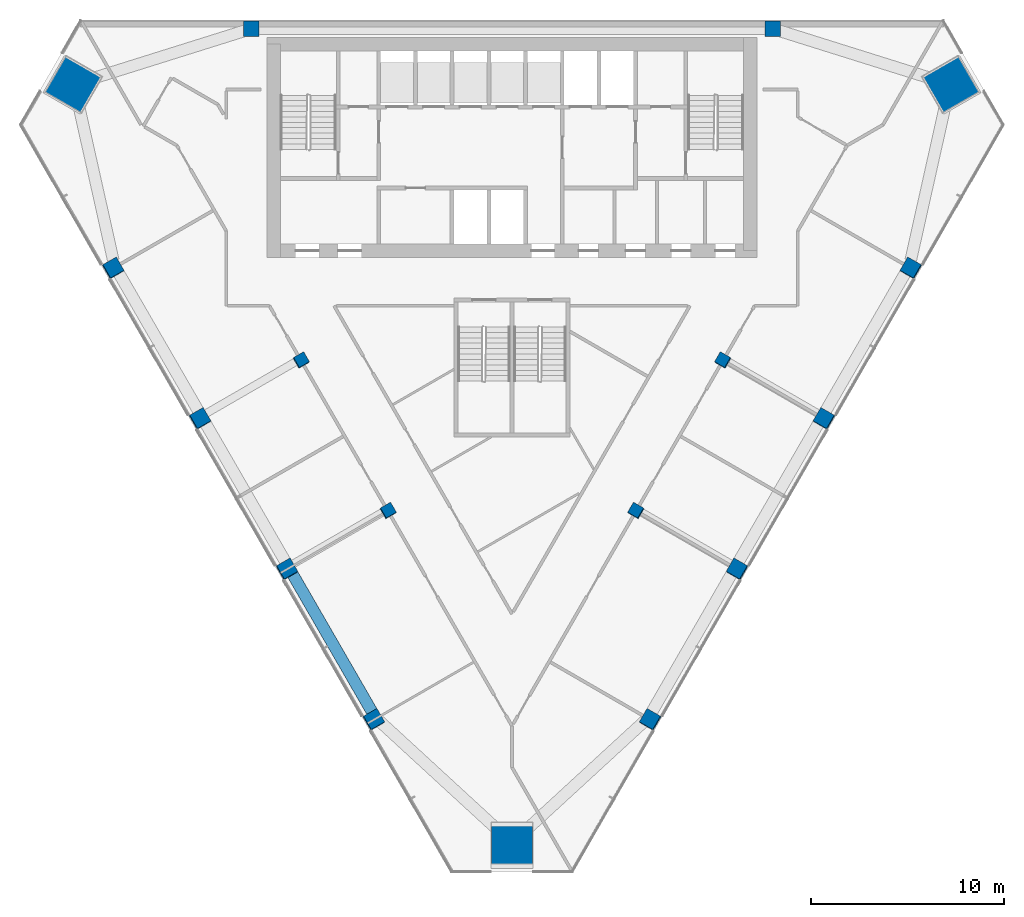
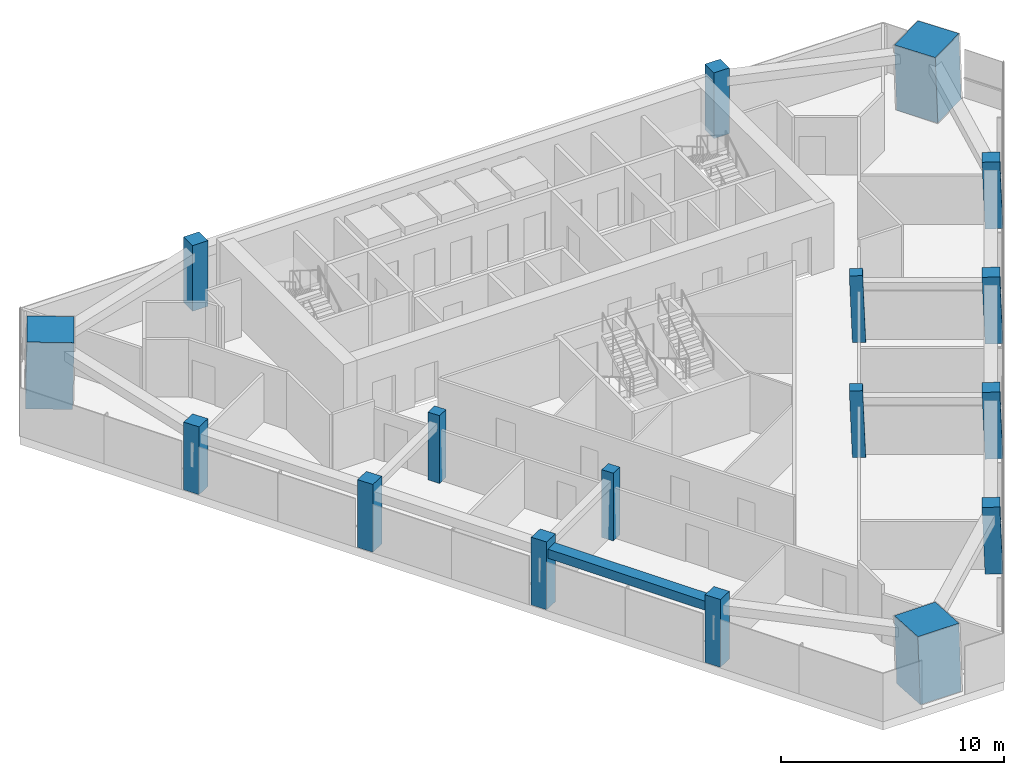
# One storey, part 1 of 13: 17 columns, 1 beam.
"""IFC4 building model written with IfcOpenShell, lengths in metres."""

from ifc_helpers import new_model, si_unit, direction, frame, origin, origin_2d, place, context, subcontext, project, spatial, rectangle, extrude, material, material_profile, profile_set, type_object, element, save


model = new_model("IFC4")

# Units and contexts
model_context = context("Model", 3, precision=1e-05, world=origin(), true_north=direction((0.0, 1.0)))
body_context = subcontext(model_context, "Body", "Model", "MODEL_VIEW")
ifc_project = project(units=[si_unit("LENGTHUNIT", "METRE"), si_unit("AREAUNIT", "SQUARE_METRE"), si_unit("VOLUMEUNIT", "CUBIC_METRE"), si_unit("PLANEANGLEUNIT", "RADIAN"), si_unit("MASSUNIT", "GRAM", prefix="KILO")], contexts=[model_context])

# Site, building, storey
site_placement = place(None, origin())
site = spatial("IfcSite", under=ifc_project, at=site_placement, CompositionType="ELEMENT")
building_placement = place(site_placement, origin())
building = spatial("IfcBuilding", under=site, at=building_placement, Name="Altiplano Prism Tower", CompositionType="ELEMENT")
storey_placement = place(building_placement, frame((0.0, 0.0, 201.60009765625)))
storey = spatial("IfcBuildingStorey", under=building, at=storey_placement, Name="L52", CompositionType="ELEMENT", Elevation=201.60009765625)

# Columns
ifc_material_1 = material(Name="Concrete C60/75", Category="concrete")
ifc_material_profile_1 = material_profile(ifc_material_1, rectangle(XDim=0.60009765625, YDim=0.60009765625, at=origin_2d()), Name="Inner column 600")
ifc_profile_set_1 = profile_set([ifc_material_profile_1], Name="Concrete C60/75")
column_type_1 = type_object("IfcColumnType", Name="Inner column 600", PredefinedType="COLUMN", material=ifc_profile_set_1)
for number, where, z_axis, x_axis, name in (
    (1, (74.07177734375, 87.365966796875, -0.018310546875), (0.02215369191, 0.038413282303, 0.999016333038), (-0.86536468805, -0.499669077686, 0.038402727522), "Inner column I12 L52"),
    (2, (78.57177734375, 79.57177734375, -0.018310546875), (0.02215369191, 0.038413282303, 0.999016333038), (-0.865364670574, -0.499669107893, 0.038402728296), "Inner column I13 L52"),
    (3, (91.42822265625, 79.57177734375, -0.018310546875), (-0.02215369191, 0.038413282303, 0.999016333038), (-0.500652774743, -0.865364202149, 0.022171981912), "Inner column I22 L52"),
    (4, (95.92822265625, 87.365966796875, -0.018310546875), (-0.02215369191, 0.038413282303, 0.999016333038), (-0.500652744536, -0.86536421959, 0.022171983253), "Inner column I23 L52"),
):
    element("IfcColumn", number, at=place(storey_placement, frame(where, z_axis=z_axis, x_axis=x_axis)), inside=storey, type_object=column_type_1, Name=name, PredefinedType="COLUMN", context=body_context, shape_type="SweptSolid", body=[
        extrude(rectangle(XDim=0.60009765625, YDim=0.60009765625, at=origin_2d()), origin(), (0.0, 0.0, 1.0), 3.603759765625),
    ])
ifc_material_2 = material(Name="Concrete C70/85", Category="concrete")
ifc_material_profile_2 = material_profile(ifc_material_2, rectangle(XDim=2.1201171875, YDim=2.1201171875, at=origin_2d()), Name="Mega column infill 2200")
ifc_profile_set_2 = profile_set([ifc_material_profile_2], Name="Concrete C70/85")
column_type_2 = type_object("IfcColumnType", Name="Mega column infill 2200", PredefinedType="COLUMN", material=ifc_profile_set_2)
column_1_placement = place(storey_placement, frame((62.2119140625, 101.63623046875, 0.0), z_axis=(0.028403721265, 0.009287135593, 0.999553389135), x_axis=(-0.866197445503, 0.499302495794, 0.019975061902)))
element("IfcColumn", 5, at=column_1_placement, inside=storey, type_object=column_type_2, Name="Mega column M0 L52", PredefinedType="COLUMN", context=body_context, shape_type="SweptSolid", body=[
    extrude(rectangle(XDim=2.1201171875, YDim=2.1201171875, at=origin_2d()), origin(), (0.0, 0.0, 1.0), 3.6015625),
])
column_2_placement = place(storey_placement, frame((85.0, 62.166259765625, 0.0), z_axis=(0.0, 0.058360852261, 0.998295552892), x_axis=(-1.0, 0.0, 0.0)))
element("IfcColumn", 6, at=column_2_placement, inside=storey, type_object=column_type_2, Name="Mega column M1 L52", PredefinedType="COLUMN", context=body_context, shape_type="SweptSolid", body=[
    extrude(rectangle(XDim=2.1201171875, YDim=2.1201171875, at=origin_2d()), origin(), (0.0, 0.0, 1.0), 3.60595703125),
])
column_3_placement = place(storey_placement, frame((107.7880859375, 101.63623046875, 0.0), z_axis=(-0.028403721265, 0.009287135593, 0.999553389135), x_axis=(0.498891496294, -0.866379396287, 0.022226484519)))
element("IfcColumn", 7, at=column_3_placement, inside=storey, type_object=column_type_2, Name="Mega column M2 L52", PredefinedType="COLUMN", context=body_context, shape_type="SweptSolid", body=[
    extrude(rectangle(XDim=2.1201171875, YDim=2.1201171875, at=origin_2d()), origin(), (0.0, 0.0, 1.0), 3.6015625),
])
ifc_material_profile_3 = material_profile(ifc_material_1, rectangle(XDim=0.800048828125, YDim=0.800048828125, at=origin_2d()), Name="Perimeter column 800")
ifc_profile_set_3 = profile_set([ifc_material_profile_3], Name="Concrete C60/75")
column_type_3 = type_object("IfcColumnType", Name="Perimeter column 800", PredefinedType="COLUMN", material=ifc_profile_set_3)
for number, where, z_axis, x_axis, name in (
    (8, (98.5, 104.550048828125, 0.0), (0.0, 0.0, 1.0), (1.0, 0.0, 0.0), "Perimeter column P01 L52"),
    (9, (71.5, 104.550048828125, 0.0), (0.0, 0.0, 1.0), (1.0, 0.0, 0.0), "Perimeter column P04 L52"),
):
    element("IfcColumn", number, at=place(storey_placement, frame(where, z_axis=z_axis, x_axis=x_axis)), inside=storey, type_object=column_type_3, Name=name, PredefinedType="COLUMN", context=body_context, shape_type="SweptSolid", body=[
        extrude(rectangle(XDim=0.800048828125, YDim=0.800048828125, at=origin_2d()), origin(), (0.0, 0.0, 1.0), 3.599853515625),
    ])
for number, where, z_axis, x_axis, name in (
    (10, (64.33203125, 92.135009765625, -0.0244140625), (0.022221406801, 0.038413224561, 0.999014831351), (-0.866024074112, -0.498523102043, 0.038432015134), "Perimeter column P11 L52"),
    (11, (68.83203125, 84.340576171875, -0.0244140625), (0.02222134892, 0.038480872521, 0.999012229206), (-0.865642107509, -0.499182153693, 0.038482712231), "Perimeter column P12 L52"),
    (12, (73.33203125, 76.54638671875, -0.0244140625), (0.02222134892, 0.038480872521, 0.999012229206), (-0.86564209005, -0.49918218391, 0.038482713007), "Perimeter column P13 L52"),
    (13, (77.83203125, 68.752197265625, -0.0244140625), (0.02222134892, 0.038480872521, 0.999012229206), (-0.86564209005, -0.49918218391, 0.038482713007), "Perimeter column P14 L52"),
    (14, (92.16796875, 68.752197265625, -0.0244140625), (-0.02222134892, 0.038480872521, 0.999012229206), (-0.500169954701, -0.865642171868, 0.022218161432), "Perimeter column P21 L52"),
    (15, (96.66796875, 76.54638671875, -0.0244140625), (-0.02222134892, 0.038480872521, 0.999012229206), (-0.500169954701, -0.865642171868, 0.022218161432), "Perimeter column P22 L52"),
    (16, (101.16796875, 84.340576171875, -0.0244140625), (-0.02222134892, 0.038480872521, 0.999012229206), (-0.500169924484, -0.865642189293, 0.022218162776), "Perimeter column P23 L52"),
    (17, (105.66796875, 92.135009765625, -0.0244140625), (-0.022221406801, 0.038413224561, 0.999014831351), (-0.499508270339, -0.866024907787, 0.022188892584), "Perimeter column P24 L52"),
):
    element("IfcColumn", number, at=place(storey_placement, frame(where, z_axis=z_axis, x_axis=x_axis)), inside=storey, type_object=column_type_3, Name=name, PredefinedType="COLUMN", context=body_context, shape_type="SweptSolid", body=[
        extrude(rectangle(XDim=0.800048828125, YDim=0.800048828125, at=origin_2d()), origin(), (0.0, 0.0, 1.0), 3.603759765625),
    ])

# Beam
ifc_material_profile_4 = material_profile(ifc_material_1, rectangle(XDim=0.60009765625, YDim=0.5, at=origin_2d()), Name="Edge beam 600x500")
ifc_profile_set_4 = profile_set([ifc_material_profile_4], Name="Concrete C60/75")
beam_type = type_object("IfcBeamType", Name="Edge beam 600x500", PredefinedType="SPANDREL", material=ifc_profile_set_4)
beam_placement = place(storey_placement, frame((73.552734375, 76.443359375, 2.89990234375), z_axis=(0.500006240468, -0.866021800818, 0.0), x_axis=(0.866021800818, 0.500006240468, 0.0)))
element("IfcBeam", 18, at=beam_placement, inside=storey, type_object=beam_type, Name="Edge beam P13-P14 L53", PredefinedType="SPANDREL", context=body_context, shape_type="SweptSolid", body=[
    extrude(rectangle(XDim=0.60009765625, YDim=0.5, at=origin_2d()), origin(), (0.0, 0.0, 1.0), 8.43994140625),
])

save(model, "model.ifc")
